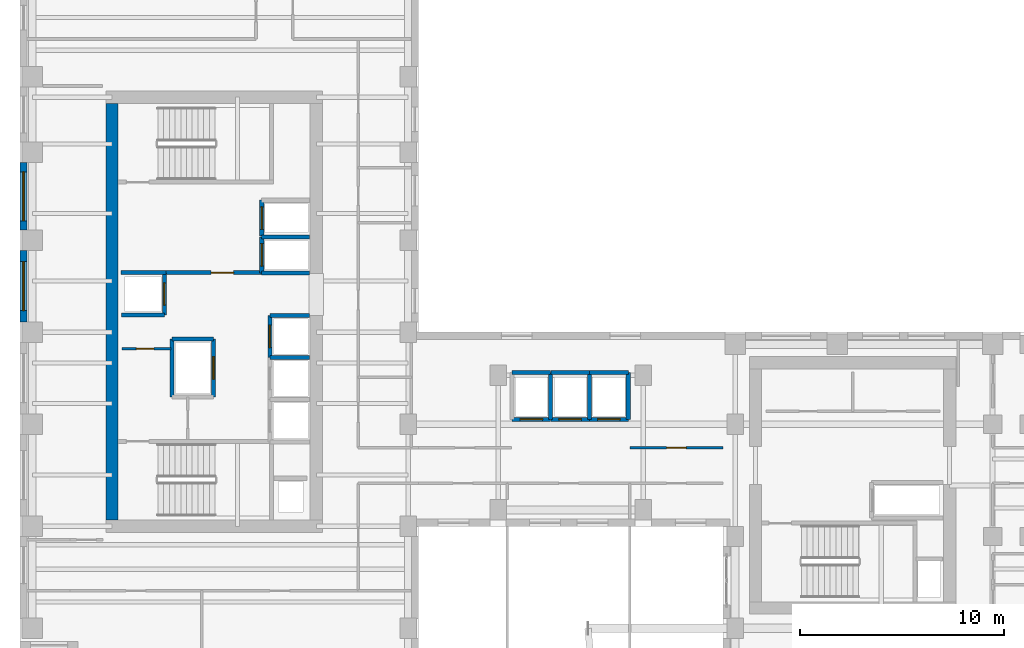
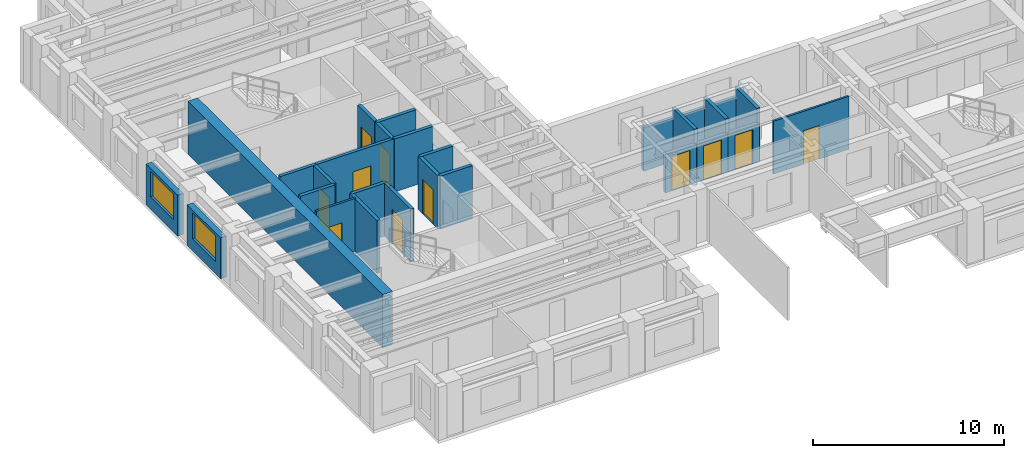
# One storey, part 7 of 13: 28 walls, 11 doors, 2 windows, 13 openings.
"""IFC4 building model written with IfcOpenShell, lengths in metres."""

from ifc_helpers import new_model, si_unit, direction, frame, frame_2d, origin, place, context, subcontext, project, spatial, rectangle, extrude, source, transform, mapped, material, layer, layer_set, type_object, element, fill, save


model = new_model("IFC4")

# Units and contexts
model_context = context("Model", 3, precision=1e-05, world=origin(), true_north=direction((0.0, 1.0)))
body_context = subcontext(model_context, "Body", "Model", "MODEL_VIEW")
ifc_project = project(units=[si_unit("LENGTHUNIT", "METRE"), si_unit("AREAUNIT", "SQUARE_METRE"), si_unit("VOLUMEUNIT", "CUBIC_METRE"), si_unit("PLANEANGLEUNIT", "RADIAN"), si_unit("MASSUNIT", "GRAM", prefix="KILO")], contexts=[model_context])

# Site, building, storey
site_placement = place(None, origin())
site = spatial("IfcSite", under=ifc_project, at=site_placement, CompositionType="ELEMENT")
building_placement = place(site_placement, origin())
building = spatial("IfcBuilding", under=site, at=building_placement, Name="Kharzan Plaza Tower", CompositionType="ELEMENT")
storey_placement = place(building_placement, frame((0.0, 0.0, 161.10009765625)))
storey = spatial("IfcBuildingStorey", under=building, at=storey_placement, Name="L43", CompositionType="ELEMENT", Elevation=161.10009765625)

# Wall, opening, window
ifc_material_1 = material(Name="Concrete C40/50", Category="concrete")
ifc_layer_1 = layer(ifc_material_1, 0.35009765625)
ifc_layer_set_1 = layer_set([ifc_layer_1], Name="Concrete C40/50")
wall_type_1 = type_object("IfcWallType", Name="WL-EXT-MAS-Z3", PredefinedType="SOLIDWALL", material=ifc_layer_set_1)
wall_1_placement = place(storey_placement, frame((0.175048828125, 26.302001953125, 0.0), z_axis=(0.0, 0.0, 1.0), x_axis=(0.0, -1.0, 0.0)))
wall_1 = element("IfcWall", 1, at=wall_1_placement, inside=storey, type_object=wall_type_1, Name="L43 Masonry-Frame Exterior Wall 13", PredefinedType="SOLIDWALL", context=body_context, shape_type="SweptSolid", body=[
    extrude(rectangle(XDim=3.303955078125, YDim=0.35009765625, at=frame_2d((1.65185546875, 0.0))), origin(), (0.0, 0.0, 1.0), 2.61181640625),
])
opening_1_placement = place(wall_1_placement, frame((0.451904296875, 0.0, 0.780029296875)))
opening_1 = element("IfcOpeningElement", 2, at=opening_1_placement, cuts=wall_1, Name="Opening W2", PredefinedType="OPENING", context=body_context, shape_type="SweptSolid", body=[
    extrude(rectangle(XDim=2.39990234375, YDim=1.652099609375, at=frame_2d((1.199951171875, 0.826171875))), frame((0.0, 0.18505859375, 0.0), z_axis=(0.0, -1.0, 0.0), x_axis=(1.0, 0.0, 0.0)), (0.0, 0.0, 1.0), 0.3701171875),
])
ifc_material_2 = material(Name="Low-E Double Glazing", Category="glass")
window_type = type_object("IfcWindowType", Name="WN-REC-2400x2100", PartitioningType="SINGLE_PANEL", PredefinedType="WINDOW", material=ifc_material_2)
shared_shape_1 = source(origin(), body_context, "Body", "SweptSolid", [
    extrude(rectangle(XDim=2.39990234375, YDim=1.652099609375, at=frame_2d((1.199951171875, 0.826171875))), frame((0.0, 0.030029296875, 0.0), z_axis=(0.0, -1.0, 0.0), x_axis=(1.0, 0.0, 0.0)), (0.0, 0.0, 1.0), 0.06005859375),
])
window_1_placement = place(opening_1_placement, origin())
window_1 = element("IfcWindow", 3, at=window_1_placement, inside=storey, type_object=window_type, Name="L43 Wide Recessed Solar-Control Window 13-1", OverallHeight=1.652099609375, OverallWidth=2.39990234375, PartitioningType="SINGLE_PANEL", PredefinedType="WINDOW", context=body_context, shape_type="MappedRepresentation", body=[
    mapped(shared_shape_1, transform((0.0, 0.0, 0.0), x_axis=(1.0, 0.0, 0.0), y_axis=(0.0, 1.0, 0.0), z_axis=(0.0, 0.0, 1.0))),
])
fill(opening_1, window_1)

wall_2_placement = place(storey_placement, frame((0.175048828125, 22.001953125, 0.0), z_axis=(0.0, 0.0, 1.0), x_axis=(0.0, -1.0, 0.0)))
wall_2 = element("IfcWall", 4, at=wall_2_placement, inside=storey, type_object=wall_type_1, Name="L43 Masonry-Frame Exterior Wall 14", PredefinedType="SOLIDWALL", context=body_context, shape_type="SweptSolid", body=[
    extrude(rectangle(XDim=3.50390625, YDim=0.35009765625, at=frame_2d((1.751953125, 0.0))), origin(), (0.0, 0.0, 1.0), 2.61181640625),
])
opening_2_placement = place(wall_2_placement, frame((0.552001953125, 0.0, 0.780029296875)))
opening_2 = element("IfcOpeningElement", 5, at=opening_2_placement, cuts=wall_2, Name="Opening W2", PredefinedType="OPENING", context=body_context, shape_type="SweptSolid", body=[
    extrude(rectangle(XDim=2.39990234375, YDim=1.652099609375, at=frame_2d((1.199951171875, 0.826171875))), frame((0.0, 0.18505859375, 0.0), z_axis=(0.0, -1.0, 0.0), x_axis=(1.0, 0.0, 0.0)), (0.0, 0.0, 1.0), 0.3701171875),
])
window_2_placement = place(opening_2_placement, origin())
window_2 = element("IfcWindow", 6, at=window_2_placement, inside=storey, type_object=window_type, Name="L43 Wide Recessed Solar-Control Window 14-1", OverallHeight=1.652099609375, OverallWidth=2.39990234375, PartitioningType="SINGLE_PANEL", PredefinedType="WINDOW", context=body_context, shape_type="MappedRepresentation", body=[
    mapped(shared_shape_1, transform((0.0, 0.0, 0.0), x_axis=(1.0, 0.0, 0.0), y_axis=(0.0, 1.0, 0.0), z_axis=(0.0, 0.0, 1.0))),
])
fill(opening_2, window_2)

# Wall, opening, door
ifc_layer_2 = layer(ifc_material_1, 0.179931640625)
ifc_layer_set_2 = layer_set([ifc_layer_2], Name="Concrete C40/50")
wall_type_2 = type_object("IfcWallType", Name="WL-INT-FIRE-180", PredefinedType="PARTITIONING", material=ifc_layer_set_2)
wall_3_placement = place(storey_placement, frame((7.14990234375, 20.919921875, 0.0), z_axis=(0.0, 0.0, 1.0), x_axis=(1.0, 0.0, 0.0)))
wall_3 = element("IfcWall", 7, at=wall_3_placement, inside=storey, type_object=wall_type_2, Name="L43 Interior Partition CA-FF-S", PredefinedType="PARTITIONING", context=body_context, shape_type="SweptSolid", body=[
    extrude(rectangle(XDim=4.68017578125, YDim=0.179931640625, at=frame_2d((2.340087890625, 0.0))), origin(), (0.0, 0.0, 1.0), 3.385009765625),
])
opening_3_placement = place(wall_3_placement, frame((2.199951171875, 0.0, 0.0)))
opening_3 = element("IfcOpeningElement", 8, at=opening_3_placement, cuts=wall_3, Name="Opening FD1", PredefinedType="OPENING", context=body_context, shape_type="SweptSolid", body=[
    extrude(rectangle(XDim=1.10009765625, YDim=2.14990234375, at=frame_2d((0.550048828125, 1.074951171875))), frame((0.0, 0.099853515625, 0.0), z_axis=(0.0, -1.0, 0.0), x_axis=(1.0, 0.0, 0.0)), (0.0, 0.0, 1.0), 0.199951171875),
])
ifc_material_3 = material(Name="Fire-Rated Acoustic Vision-Panel Steel", Category="steel")
door_type_1 = type_object("IfcDoorType", Name="DR-FIRE-LOBBY", OperationType="NOTDEFINED", PredefinedType="DOOR", material=ifc_material_3)
shared_shape_2 = source(origin(), body_context, "Body", "SweptSolid", [
    extrude(rectangle(XDim=1.10009765625, YDim=2.14990234375, at=frame_2d((0.550048828125, 1.074951171875))), frame((0.0, 0.02490234375, 0.0), z_axis=(0.0, -1.0, 0.0), x_axis=(1.0, 0.0, 0.0)), (0.0, 0.0, 1.0), 0.050048828125),
])
door_1_placement = place(opening_3_placement, origin())
door_1 = element("IfcDoor", 9, at=door_1_placement, inside=storey, type_object=door_type_1, Name="L43 Firefighting Lobby Door", OperationType="SINGLE_SWING_LEFT", OverallHeight=2.14990234375, OverallWidth=1.10009765625, PredefinedType="DOOR", context=body_context, shape_type="MappedRepresentation", body=[
    mapped(shared_shape_2, transform((0.0, 0.0, 0.0), x_axis=(1.0, 0.0, 0.0), y_axis=(0.0, 1.0, 0.0), z_axis=(0.0, 0.0, 1.0))),
])
fill(opening_3, door_1)

ifc_material_4 = material(Name="Fire-Rated Gypsum Board Partition", Category="gypsum")
ifc_layer_3 = layer(ifc_material_4, 0.125)
ifc_layer_set_3 = layer_set([ifc_layer_3], Name="Fire-Rated Gypsum Board Partition")
wall_type_3 = type_object("IfcWallType", Name="WL-INT-PART-125", PredefinedType="PARTITIONING", material=ifc_layer_set_3)
wall_4_placement = place(storey_placement, frame((5.0, 17.199951171875, 0.0), z_axis=(0.0, 0.0, 1.0), x_axis=(1.0, 0.0, 0.0)))
wall_4 = element("IfcWall", 10, at=wall_4_placement, inside=storey, type_object=wall_type_3, Name="L43 Interior Partition CA-K1N2", PredefinedType="PARTITIONING", context=body_context, shape_type="SweptSolid", body=[
    extrude(rectangle(XDim=2.39990234375, YDim=0.125, at=frame_2d((1.199951171875, 0.0))), origin(), (0.0, 0.0, 1.0), 3.385009765625),
])
opening_4_placement = place(wall_4_placement, frame((0.699951171875, 0.0, 0.0)))
opening_4 = element("IfcOpeningElement", 11, at=opening_4_placement, cuts=wall_4, Name="Opening RD1", PredefinedType="OPENING", context=body_context, shape_type="SweptSolid", body=[
    extrude(rectangle(XDim=0.85009765625, YDim=2.10009765625, at=frame_2d((0.425048828125, 1.050048828125))), frame((0.0, 0.072509765625, 0.0), z_axis=(0.0, -1.0, 0.0), x_axis=(1.0, 0.0, 0.0)), (0.0, 0.0, 1.0), 0.14501953125),
])
ifc_material_5 = material(Name="Powder-Coated Fire-Rated Steel", Category="steel")
door_type_2 = type_object("IfcDoorType", Name="DR-RISER-900", OperationType="NOTDEFINED", PredefinedType="DOOR", material=ifc_material_5)
shared_shape_3 = source(origin(), body_context, "Body", "SweptSolid", [
    extrude(rectangle(XDim=0.85009765625, YDim=2.10009765625, at=frame_2d((0.425048828125, 1.050048828125))), frame((0.0, 0.02490234375, 0.0), z_axis=(0.0, -1.0, 0.0), x_axis=(1.0, 0.0, 0.0)), (0.0, 0.0, 1.0), 0.050048828125),
])
door_2_placement = place(opening_4_placement, origin())
door_2 = element("IfcDoor", 12, at=door_2_placement, inside=storey, type_object=door_type_2, Name="L43 Core Storage Room Door", OperationType="SINGLE_SWING_RIGHT", OverallHeight=2.10009765625, OverallWidth=0.85009765625, PredefinedType="DOOR", context=body_context, shape_type="MappedRepresentation", body=[
    mapped(shared_shape_3, transform((0.0, 0.0, 0.0), x_axis=(1.0, 0.0, 0.0), y_axis=(0.0, 1.0, 0.0), z_axis=(0.0, 0.0, 1.0))),
])
fill(opening_4, door_2)

wall_5_placement = place(storey_placement, frame((29.85009765625, 12.35009765625, 0.0), z_axis=(0.0, 0.0, 1.0), x_axis=(1.0, 0.0, 0.0)))
wall_5 = element("IfcWall", 13, at=wall_5_placement, inside=storey, type_object=wall_type_3, Name="L43 Interior Partition SH-SPNE1", PredefinedType="PARTITIONING", context=body_context, shape_type="SweptSolid", body=[
    extrude(rectangle(XDim=4.5498046875, YDim=0.125, at=frame_2d((2.27490234375, 0.0))), origin(), (0.0, 0.0, 1.0), 3.385009765625),
])
opening_5_placement = place(wall_5_placement, frame((1.800048828125, 0.0, 0.0)))
opening_5 = element("IfcOpeningElement", 14, at=opening_5_placement, cuts=wall_5, Name="Opening OD1", PredefinedType="OPENING", context=body_context, shape_type="SweptSolid", body=[
    extrude(rectangle(XDim=0.949951171875, YDim=2.14990234375, at=frame_2d((0.47509765625, 1.074951171875))), frame((0.0, 0.072509765625, 0.0), z_axis=(0.0, -1.0, 0.0), x_axis=(1.0, 0.0, 0.0)), (0.0, 0.0, 1.0), 0.14501953125),
])
ifc_material_6 = material(Name="Acoustic Solid-Core Stained Oak", Category="timber")
door_type_3 = type_object("IfcDoorType", Name="DR-OFF-SINGLE", OperationType="NOTDEFINED", PredefinedType="DOOR", material=ifc_material_6)
shared_shape_4 = source(origin(), body_context, "Body", "SweptSolid", [
    extrude(rectangle(XDim=0.949951171875, YDim=2.14990234375, at=frame_2d((0.47509765625, 1.074951171875))), frame((0.0, 0.02490234375, 0.0), z_axis=(0.0, -1.0, 0.0), x_axis=(1.0, 0.0, 0.0)), (0.0, 0.0, 1.0), 0.050048828125),
])
door_3_placement = place(opening_5_placement, origin())
door_3 = element("IfcDoor", 15, at=door_3_placement, inside=storey, type_object=door_type_3, Name="L43 North-East Spine Door", OperationType="SINGLE_SWING_RIGHT", OverallHeight=2.14990234375, OverallWidth=0.949951171875, PredefinedType="DOOR", context=body_context, shape_type="MappedRepresentation", body=[
    mapped(shared_shape_4, transform((0.0, 0.0, 0.0), x_axis=(1.0, 0.0, 0.0), y_axis=(0.0, 1.0, 0.0), z_axis=(0.0, 0.0, 1.0))),
])
fill(opening_5, door_3)

ifc_layer_4 = layer(ifc_material_1, 0.199951171875)
ifc_layer_set_4 = layer_set([ifc_layer_4], Name="Concrete C40/50")
wall_type_4 = type_object("IfcWallType", Name="WL-INT-SHAFT-200", PredefinedType="PARTITIONING", material=ifc_layer_set_4)
wall_6_placement = place(storey_placement, frame((11.830078125, 20.89990234375, 0.0), z_axis=(0.0, 0.0, 1.0), x_axis=(0.0, 1.0, 0.0)))
wall_6 = element("IfcWall", 16, at=wall_6_placement, inside=storey, type_object=wall_type_4, Name="L43 Interior Partition SHF-FFL-1-W", PredefinedType="PARTITIONING", context=body_context, shape_type="SweptSolid", body=[
    extrude(rectangle(XDim=1.760009765625, YDim=0.199951171875, at=frame_2d((0.8798828125, 0.0))), origin(), (0.0, 0.0, 1.0), 3.385009765625),
])
opening_6_placement = place(wall_6_placement, frame((0.330078125, 0.0, 0.0)))
opening_6 = element("IfcOpeningElement", 17, at=opening_6_placement, cuts=wall_6, Name="Opening LD", PredefinedType="OPENING", context=body_context, shape_type="SweptSolid", body=[
    extrude(rectangle(XDim=1.10009765625, YDim=2.199951171875, at=frame_2d((0.550048828125, 1.10009765625))), frame((0.0, 0.10986328125, 0.0), z_axis=(0.0, -1.0, 0.0), x_axis=(1.0, 0.0, 0.0)), (0.0, 0.0, 1.0), 0.219970703125),
])
ifc_material_7 = material(Name="Brushed Stainless Steel", Category="steel")
door_type_4 = type_object("IfcDoorType", Name="DR-LIFT-SLIDE", OperationType="SLIDING_TO_LEFT", PredefinedType="DOOR", material=ifc_material_7)
shared_shape_5 = source(origin(), body_context, "Body", "SweptSolid", [
    extrude(rectangle(XDim=1.10009765625, YDim=2.199951171875, at=frame_2d((0.550048828125, 1.10009765625))), frame((0.0, 0.02490234375, 0.0), z_axis=(0.0, -1.0, 0.0), x_axis=(1.0, 0.0, 0.0)), (0.0, 0.0, 1.0), 0.050048828125),
])
door_4_placement = place(opening_6_placement, origin())
door_4 = element("IfcDoor", 18, at=door_4_placement, inside=storey, type_object=door_type_4, Name="L43 Firefighting Lift FFL-1 Sliding Landing Door", OperationType="SLIDING_TO_LEFT", OverallHeight=2.199951171875, OverallWidth=1.10009765625, PredefinedType="DOOR", context=body_context, shape_type="MappedRepresentation", body=[
    mapped(shared_shape_5, transform((0.0, 0.0, 0.0), x_axis=(1.0, 0.0, 0.0), y_axis=(0.0, 1.0, 0.0), z_axis=(0.0, 0.0, 1.0))),
])
fill(opening_6, door_4)

wall_7_placement = place(storey_placement, frame((11.830078125, 22.699951171875, 0.0), z_axis=(0.0, 0.0, 1.0), x_axis=(0.0, 1.0, 0.0)))
wall_7 = element("IfcWall", 19, at=wall_7_placement, inside=storey, type_object=wall_type_4, Name="L43 Interior Partition SHF-FFL-2-W", PredefinedType="PARTITIONING", context=body_context, shape_type="SweptSolid", body=[
    extrude(rectangle(XDim=1.760009765625, YDim=0.199951171875, at=frame_2d((0.8798828125, 0.0))), origin(), (0.0, 0.0, 1.0), 3.385009765625),
])
opening_7_placement = place(wall_7_placement, frame((0.330078125, 0.0, 0.0)))
opening_7 = element("IfcOpeningElement", 20, at=opening_7_placement, cuts=wall_7, Name="Opening LD", PredefinedType="OPENING", context=body_context, shape_type="SweptSolid", body=[
    extrude(rectangle(XDim=1.10009765625, YDim=2.199951171875, at=frame_2d((0.550048828125, 1.10009765625))), frame((0.0, 0.10986328125, 0.0), z_axis=(0.0, -1.0, 0.0), x_axis=(1.0, 0.0, 0.0)), (0.0, 0.0, 1.0), 0.219970703125),
])
door_5_placement = place(opening_7_placement, origin())
door_5 = element("IfcDoor", 21, at=door_5_placement, inside=storey, type_object=door_type_4, Name="L43 Firefighting Lift FFL-2 Sliding Landing Door", OperationType="SLIDING_TO_LEFT", OverallHeight=2.199951171875, OverallWidth=1.10009765625, PredefinedType="DOOR", context=body_context, shape_type="MappedRepresentation", body=[
    mapped(shared_shape_5, transform((0.0, 0.0, 0.0), x_axis=(1.0, 0.0, 0.0), y_axis=(0.0, 1.0, 0.0), z_axis=(0.0, 0.0, 1.0))),
])
fill(opening_7, door_5)

wall_8_placement = place(storey_placement, frame((12.22998046875, 16.77001953125, 0.0), z_axis=(0.0, 0.0, 1.0), x_axis=(0.0, 1.0, 0.0)))
wall_8 = element("IfcWall", 22, at=wall_8_placement, inside=storey, type_object=wall_type_4, Name="L43 Interior Partition SHF-PL-H3-W", PredefinedType="PARTITIONING", context=body_context, shape_type="SweptSolid", body=[
    extrude(rectangle(XDim=2.050048828125, YDim=0.199951171875, at=frame_2d((1.02490234375, 0.0))), origin(), (0.0, 0.0, 1.0), 3.385009765625),
])
opening_8_placement = place(wall_8_placement, frame((0.47509765625, 0.0, 0.0)))
opening_8 = element("IfcOpeningElement", 23, at=opening_8_placement, cuts=wall_8, Name="Opening LD", PredefinedType="OPENING", context=body_context, shape_type="SweptSolid", body=[
    extrude(rectangle(XDim=1.10009765625, YDim=2.199951171875, at=frame_2d((0.550048828125, 1.10009765625))), frame((0.0, 0.10986328125, 0.0), z_axis=(0.0, -1.0, 0.0), x_axis=(1.0, 0.0, 0.0)), (0.0, 0.0, 1.0), 0.219970703125),
])
door_6_placement = place(opening_8_placement, origin())
door_6 = element("IfcDoor", 24, at=door_6_placement, inside=storey, type_object=door_type_4, Name="L43 High-Rise Passenger Lift PL-H3 Sliding Landing Door", OperationType="SLIDING_TO_LEFT", OverallHeight=2.199951171875, OverallWidth=1.10009765625, PredefinedType="DOOR", context=body_context, shape_type="MappedRepresentation", body=[
    mapped(shared_shape_5, transform((0.0, 0.0, 0.0), x_axis=(1.0, 0.0, 0.0), y_axis=(0.0, 1.0, 0.0), z_axis=(0.0, 0.0, 1.0))),
])
fill(opening_8, door_6)

wall_9_placement = place(storey_placement, frame((7.070068359375, 18.840087890625, 0.0), z_axis=(0.0, 0.0, 1.0), x_axis=(0.0, 1.0, 0.0)))
wall_9 = element("IfcWall", 25, at=wall_9_placement, inside=storey, type_object=wall_type_4, Name="L43 Interior Partition SHF-PL-H4-E", PredefinedType="PARTITIONING", context=body_context, shape_type="SweptSolid", body=[
    extrude(rectangle(XDim=2.059814453125, YDim=0.199951171875, at=frame_2d((1.02978515625, 0.0))), origin(), (0.0, 0.0, 1.0), 3.385009765625),
])
opening_9_placement = place(wall_9_placement, frame((0.47998046875, 0.0, 0.0)))
opening_9 = element("IfcOpeningElement", 26, at=opening_9_placement, cuts=wall_9, Name="Opening LD", PredefinedType="OPENING", context=body_context, shape_type="SweptSolid", body=[
    extrude(rectangle(XDim=1.10009765625, YDim=2.199951171875, at=frame_2d((0.550048828125, 1.10009765625))), frame((0.0, 0.10986328125, 0.0), z_axis=(0.0, -1.0, 0.0), x_axis=(1.0, 0.0, 0.0)), (0.0, 0.0, 1.0), 0.219970703125),
])
door_7_placement = place(opening_9_placement, origin())
door_7 = element("IfcDoor", 27, at=door_7_placement, inside=storey, type_object=door_type_4, Name="L43 High-Rise Passenger Lift PL-H4 Sliding Landing Door", OperationType="SLIDING_TO_LEFT", OverallHeight=2.199951171875, OverallWidth=1.10009765625, PredefinedType="DOOR", context=body_context, shape_type="MappedRepresentation", body=[
    mapped(shared_shape_5, transform((0.0, 0.0, 0.0), x_axis=(1.0, 0.0, 0.0), y_axis=(0.0, 1.0, 0.0), z_axis=(0.0, 0.0, 1.0))),
])
fill(opening_9, door_7)

wall_10_placement = place(storey_placement, frame((24.080078125, 13.72998046875, 0.0), z_axis=(0.0, 0.0, 1.0), x_axis=(1.0, 0.0, 0.0)))
wall_10 = element("IfcWall", 28, at=wall_10_placement, inside=storey, type_object=wall_type_4, Name="L43 Interior Partition SHF-PL-M1-S", PredefinedType="PARTITIONING", context=body_context, shape_type="SweptSolid", body=[
    extrude(rectangle(XDim=1.889892578125, YDim=0.199951171875, at=frame_2d((0.94482421875, 0.0))), origin(), (0.0, 0.0, 1.0), 2.4658203125),
])
opening_10_placement = place(wall_10_placement, frame((0.39501953125, 0.0, 0.0)))
opening_10 = element("IfcOpeningElement", 29, at=opening_10_placement, cuts=wall_10, Name="Opening LD", PredefinedType="OPENING", context=body_context, shape_type="SweptSolid", body=[
    extrude(rectangle(XDim=1.10009765625, YDim=2.199951171875, at=frame_2d((0.550048828125, 1.10009765625))), frame((0.0, 0.10986328125, 0.0), z_axis=(0.0, -1.0, 0.0), x_axis=(1.0, 0.0, 0.0)), (0.0, 0.0, 1.0), 0.219970703125),
])
door_8_placement = place(opening_10_placement, origin())
door_8 = element("IfcDoor", 30, at=door_8_placement, inside=storey, type_object=door_type_4, Name="L43 Mid-Rise Passenger Lift PL-M1 Sliding Landing Door", OperationType="SLIDING_TO_LEFT", OverallHeight=2.199951171875, OverallWidth=1.10009765625, PredefinedType="DOOR", context=body_context, shape_type="MappedRepresentation", body=[
    mapped(shared_shape_5, transform((0.0, 0.0, 0.0), x_axis=(1.0, 0.0, 0.0), y_axis=(0.0, 1.0, 0.0), z_axis=(0.0, 0.0, 1.0))),
])
fill(opening_10, door_8)

wall_11_placement = place(storey_placement, frame((25.97998046875, 13.72998046875, 0.0), z_axis=(0.0, 0.0, 1.0), x_axis=(1.0, 0.0, 0.0)))
wall_11 = element("IfcWall", 31, at=wall_11_placement, inside=storey, type_object=wall_type_4, Name="L43 Interior Partition SHF-PL-M2-S", PredefinedType="PARTITIONING", context=body_context, shape_type="SweptSolid", body=[
    extrude(rectangle(XDim=1.89013671875, YDim=0.199951171875, at=frame_2d((0.945068359375, 0.0))), origin(), (0.0, 0.0, 1.0), 2.4658203125),
])
opening_11_placement = place(wall_11_placement, frame((0.39501953125, 0.0, 0.0)))
opening_11 = element("IfcOpeningElement", 32, at=opening_11_placement, cuts=wall_11, Name="Opening LD", PredefinedType="OPENING", context=body_context, shape_type="SweptSolid", body=[
    extrude(rectangle(XDim=1.10009765625, YDim=2.199951171875, at=frame_2d((0.550048828125, 1.10009765625))), frame((0.0, 0.10986328125, 0.0), z_axis=(0.0, -1.0, 0.0), x_axis=(1.0, 0.0, 0.0)), (0.0, 0.0, 1.0), 0.219970703125),
])
door_9_placement = place(opening_11_placement, origin())
door_9 = element("IfcDoor", 33, at=door_9_placement, inside=storey, type_object=door_type_4, Name="L43 Mid-Rise Passenger Lift PL-M2 Sliding Landing Door", OperationType="SLIDING_TO_LEFT", OverallHeight=2.199951171875, OverallWidth=1.10009765625, PredefinedType="DOOR", context=body_context, shape_type="MappedRepresentation", body=[
    mapped(shared_shape_5, transform((0.0, 0.0, 0.0), x_axis=(1.0, 0.0, 0.0), y_axis=(0.0, 1.0, 0.0), z_axis=(0.0, 0.0, 1.0))),
])
fill(opening_11, door_9)

wall_12_placement = place(storey_placement, frame((27.8798828125, 13.72998046875, 0.0), z_axis=(0.0, 0.0, 1.0), x_axis=(1.0, 0.0, 0.0)))
wall_12 = element("IfcWall", 34, at=wall_12_placement, inside=storey, type_object=wall_type_4, Name="L43 Interior Partition SHF-PL-M3-S", PredefinedType="PARTITIONING", context=body_context, shape_type="SweptSolid", body=[
    extrude(rectangle(XDim=1.89013671875, YDim=0.199951171875, at=frame_2d((0.945068359375, 0.0))), origin(), (0.0, 0.0, 1.0), 2.4658203125),
])
opening_12_placement = place(wall_12_placement, frame((0.39501953125, 0.0, 0.0)))
opening_12 = element("IfcOpeningElement", 35, at=opening_12_placement, cuts=wall_12, Name="Opening LD", PredefinedType="OPENING", context=body_context, shape_type="SweptSolid", body=[
    extrude(rectangle(XDim=1.10009765625, YDim=2.199951171875, at=frame_2d((0.550048828125, 1.10009765625))), frame((0.0, 0.10986328125, 0.0), z_axis=(0.0, -1.0, 0.0), x_axis=(1.0, 0.0, 0.0)), (0.0, 0.0, 1.0), 0.219970703125),
])
door_10_placement = place(opening_12_placement, origin())
door_10 = element("IfcDoor", 36, at=door_10_placement, inside=storey, type_object=door_type_4, Name="L43 Mid-Rise Passenger Lift PL-M3 Sliding Landing Door", OperationType="SLIDING_TO_LEFT", OverallHeight=2.199951171875, OverallWidth=1.10009765625, PredefinedType="DOOR", context=body_context, shape_type="MappedRepresentation", body=[
    mapped(shared_shape_5, transform((0.0, 0.0, 0.0), x_axis=(1.0, 0.0, 0.0), y_axis=(0.0, 1.0, 0.0), z_axis=(0.0, 0.0, 1.0))),
])
fill(opening_12, door_10)

wall_13_placement = place(storey_placement, frame((9.469970703125, 14.830078125, 0.0), z_axis=(0.0, 0.0, 1.0), x_axis=(0.0, 1.0, 0.0)))
wall_13 = element("IfcWall", 37, at=wall_13_placement, inside=storey, type_object=wall_type_4, Name="L43 Interior Partition SHF-SVL-1-E", PredefinedType="PARTITIONING", context=body_context, shape_type="SweptSolid", body=[
    extrude(rectangle(XDim=2.83984375, YDim=0.199951171875, at=frame_2d((1.419921875, 0.0))), origin(), (0.0, 0.0, 1.0), 3.385009765625),
])
opening_13_placement = place(wall_13_placement, frame((0.8701171875, 0.0, 0.0)))
opening_13 = element("IfcOpeningElement", 38, at=opening_13_placement, cuts=wall_13, Name="Opening LD", PredefinedType="OPENING", context=body_context, shape_type="SweptSolid", body=[
    extrude(rectangle(XDim=1.10009765625, YDim=2.199951171875, at=frame_2d((0.550048828125, 1.10009765625))), frame((0.0, 0.10986328125, 0.0), z_axis=(0.0, -1.0, 0.0), x_axis=(1.0, 0.0, 0.0)), (0.0, 0.0, 1.0), 0.219970703125),
])
door_11_placement = place(opening_13_placement, origin())
door_11 = element("IfcDoor", 39, at=door_11_placement, inside=storey, type_object=door_type_4, Name="L43 Service Lift SVL-1 Sliding Landing Door", OperationType="SLIDING_TO_LEFT", OverallHeight=2.199951171875, OverallWidth=1.10009765625, PredefinedType="DOOR", context=body_context, shape_type="MappedRepresentation", body=[
    mapped(shared_shape_5, transform((0.0, 0.0, 0.0), x_axis=(1.0, 0.0, 0.0), y_axis=(0.0, 1.0, 0.0), z_axis=(0.0, 0.0, 1.0))),
])
fill(opening_13, door_11)

# Walls
ifc_material_8 = material(Name="Concrete C50/60", Category="concrete")
ifc_layer_5 = layer(ifc_material_8, 0.60009765625)
ifc_layer_set_5 = layer_set([ifc_layer_5], Name="Concrete C50/60")
wall_type_5 = type_object("IfcWallType", Name="WL-CORE-600", PredefinedType="SHEAR", material=ifc_layer_set_5)
shared_shape_6 = source(origin(), body_context, "Body", "SweptSolid", [
    extrude(rectangle(XDim=20.39990234375, YDim=0.60009765625, at=frame_2d((10.199951171875, 0.0))), origin(), (0.0, 0.0, 1.0), 3.39990234375),
])
wall_14_placement = place(storey_placement, frame((4.5, 8.800048828125, 0.0), z_axis=(0.0, 0.0, 1.0), x_axis=(0.0, 1.0, 0.0)))
element("IfcWall", 40, at=wall_14_placement, inside=storey, type_object=wall_type_5, Name="L43 CORE-A west RC shear wall", PredefinedType="SHEAR", context=body_context, shape_type="MappedRepresentation", body=[
    mapped(shared_shape_6, transform((0.0, 0.0, 0.0), x_axis=(1.0, 0.0, 0.0), y_axis=(0.0, 1.0, 0.0), z_axis=(0.0, 0.0, 1.0))),
])
shared_shape_7 = source(origin(), body_context, "Body", "SweptSolid", [
    extrude(rectangle(XDim=2.199951171875, YDim=0.179931640625, at=frame_2d((1.10009765625, 0.0))), origin(), (0.0, 0.0, 1.0), 3.385009765625),
])
wall_15_placement = place(storey_placement, frame((4.949951171875, 20.919921875, 0.0), z_axis=(0.0, 0.0, 1.0), x_axis=(1.0, 0.0, 0.0)))
element("IfcWall", 41, at=wall_15_placement, inside=storey, type_object=wall_type_2, Name="L43 Interior Partition CA-FF-SW", PredefinedType="PARTITIONING", context=body_context, shape_type="MappedRepresentation", body=[
    mapped(shared_shape_7, transform((0.0, 0.0, 0.0), x_axis=(1.0, 0.0, 0.0), y_axis=(0.0, 1.0, 0.0), z_axis=(0.0, 0.0, 1.0))),
])
shared_shape_8 = source(origin(), body_context, "Body", "SweptSolid", [
    extrude(rectangle(XDim=2.33984375, YDim=0.199951171875, at=frame_2d((1.169921875, 0.0))), origin(), (0.0, 0.0, 1.0), 3.385009765625),
])
for number, where, z_axis, x_axis, name in (
    (42, (11.830078125, 22.659912109375, 0.0), (0.0, 0.0, 1.0), (1.0, 0.0, 0.0), "L43 Interior Partition SHF-FFL-1-N"),
    (43, (11.830078125, 20.89990234375, 0.0), (0.0, 0.0, 1.0), (1.0, 0.0, 0.0), "L43 Interior Partition SHF-FFL-1-S"),
):
    element("IfcWall", number, at=place(storey_placement, frame(where, z_axis=z_axis, x_axis=x_axis)), inside=storey, type_object=wall_type_4, Name=name, PredefinedType="PARTITIONING", context=body_context, shape_type="MappedRepresentation", body=[
        mapped(shared_shape_8, transform((0.0, 0.0, 0.0), x_axis=(1.0, 0.0, 0.0), y_axis=(0.0, 1.0, 0.0), z_axis=(0.0, 0.0, 1.0))),
    ])
shared_shape_9 = source(origin(), body_context, "Body", "SweptSolid", [
    extrude(rectangle(XDim=1.93994140625, YDim=0.199951171875, at=frame_2d((0.969970703125, 0.0))), origin(), (0.0, 0.0, 1.0), 3.385009765625),
])
for number, where, z_axis, x_axis, name in (
    (44, (12.22998046875, 16.77001953125, 0.0), (0.0, 0.0, 1.0), (1.0, 0.0, 0.0), "L43 Interior Partition SHF-PL-H2-N"),
    (45, (12.22998046875, 18.820068359375, 0.0), (0.0, 0.0, 1.0), (1.0, 0.0, 0.0), "L43 Interior Partition SHF-PL-H3-N"),
):
    element("IfcWall", number, at=place(storey_placement, frame(where, z_axis=z_axis, x_axis=x_axis)), inside=storey, type_object=wall_type_4, Name=name, PredefinedType="PARTITIONING", context=body_context, shape_type="MappedRepresentation", body=[
        mapped(shared_shape_9, transform((0.0, 0.0, 0.0), x_axis=(1.0, 0.0, 0.0), y_axis=(0.0, 1.0, 0.0), z_axis=(0.0, 0.0, 1.0))),
    ])
shared_shape_10 = source(origin(), body_context, "Body", "SweptSolid", [
    extrude(rectangle(XDim=2.090087890625, YDim=0.199951171875, at=frame_2d((1.044921875, 0.0))), origin(), (0.0, 0.0, 1.0), 3.385009765625),
])
wall_16_placement = place(storey_placement, frame((4.97998046875, 18.840087890625, 0.0), z_axis=(0.0, 0.0, 1.0), x_axis=(1.0, 0.0, 0.0)))
element("IfcWall", 46, at=wall_16_placement, inside=storey, type_object=wall_type_4, Name="L43 Interior Partition SHF-PL-H4-S", PredefinedType="PARTITIONING", context=body_context, shape_type="MappedRepresentation", body=[
    mapped(shared_shape_10, transform((0.0, 0.0, 0.0), x_axis=(1.0, 0.0, 0.0), y_axis=(0.0, 1.0, 0.0), z_axis=(0.0, 0.0, 1.0))),
])
shared_shape_11 = source(origin(), body_context, "Body", "SweptSolid", [
    extrude(rectangle(XDim=2.2900390625, YDim=0.199951171875, at=frame_2d((1.14501953125, 0.0))), origin(), (0.0, 0.0, 1.0), 3.385009765625),
])
for number, where, z_axis, x_axis, name in (
    (47, (25.969970703125, 13.72998046875, 0.0), (0.0, 0.0, 1.0), (0.0, 1.0, 0.0), "L43 Interior Partition SHF-PL-M1-E"),
    (48, (27.8701171875, 13.72998046875, 0.0), (0.0, 0.0, 1.0), (0.0, 1.0, 0.0), "L43 Interior Partition SHF-PL-M2-E"),
    (49, (29.77001953125, 13.72998046875, 0.0), (0.0, 0.0, 1.0), (0.0, 1.0, 0.0), "L43 Interior Partition SHF-PL-M3-E"),
):
    element("IfcWall", number, at=place(storey_placement, frame(where, z_axis=z_axis, x_axis=x_axis)), inside=storey, type_object=wall_type_4, Name=name, PredefinedType="PARTITIONING", context=body_context, shape_type="MappedRepresentation", body=[
        mapped(shared_shape_11, transform((0.0, 0.0, 0.0), x_axis=(1.0, 0.0, 0.0), y_axis=(0.0, 1.0, 0.0), z_axis=(0.0, 0.0, 1.0))),
    ])
shared_shape_12 = source(origin(), body_context, "Body", "SweptSolid", [
    extrude(rectangle(XDim=1.889892578125, YDim=0.199951171875, at=frame_2d((0.94482421875, 0.0))), origin(), (0.0, 0.0, 1.0), 2.77294921875),
])
wall_17_placement = place(storey_placement, frame((24.080078125, 16.02001953125, 0.0), z_axis=(0.0, 0.0, 1.0), x_axis=(1.0, 0.0, 0.0)))
element("IfcWall", 50, at=wall_17_placement, inside=storey, type_object=wall_type_4, Name="L43 Interior Partition SHF-PL-M1-N", PredefinedType="PARTITIONING", context=body_context, shape_type="MappedRepresentation", body=[
    mapped(shared_shape_12, transform((0.0, 0.0, 0.0), x_axis=(1.0, 0.0, 0.0), y_axis=(0.0, 1.0, 0.0), z_axis=(0.0, 0.0, 1.0))),
])
shared_shape_13 = source(origin(), body_context, "Body", "SweptSolid", [
    extrude(rectangle(XDim=1.89013671875, YDim=0.199951171875, at=frame_2d((0.945068359375, 0.0))), origin(), (0.0, 0.0, 1.0), 2.77294921875),
])
for number, where, z_axis, x_axis, name in (
    (51, (25.97998046875, 16.02001953125, 0.0), (0.0, 0.0, 1.0), (1.0, 0.0, 0.0), "L43 Interior Partition SHF-PL-M2-N"),
    (52, (27.8798828125, 16.02001953125, 0.0), (0.0, 0.0, 1.0), (1.0, 0.0, 0.0), "L43 Interior Partition SHF-PL-M3-N"),
):
    element("IfcWall", number, at=place(storey_placement, frame(where, z_axis=z_axis, x_axis=x_axis)), inside=storey, type_object=wall_type_4, Name=name, PredefinedType="PARTITIONING", context=body_context, shape_type="MappedRepresentation", body=[
        mapped(shared_shape_13, transform((0.0, 0.0, 0.0), x_axis=(1.0, 0.0, 0.0), y_axis=(0.0, 1.0, 0.0), z_axis=(0.0, 0.0, 1.0))),
    ])
shared_shape_14 = source(origin(), body_context, "Body", "SweptSolid", [
    extrude(rectangle(XDim=2.0400390625, YDim=0.199951171875, at=frame_2d((1.02001953125, 0.0))), origin(), (0.0, 0.0, 1.0), 3.385009765625),
])
wall_18_placement = place(storey_placement, frame((7.429931640625, 17.669921875, 0.0), z_axis=(0.0, 0.0, 1.0), x_axis=(1.0, 0.0, 0.0)))
element("IfcWall", 53, at=wall_18_placement, inside=storey, type_object=wall_type_4, Name="L43 Interior Partition SHF-SVL-1-N", PredefinedType="PARTITIONING", context=body_context, shape_type="MappedRepresentation", body=[
    mapped(shared_shape_14, transform((0.0, 0.0, 0.0), x_axis=(1.0, 0.0, 0.0), y_axis=(0.0, 1.0, 0.0), z_axis=(0.0, 0.0, 1.0))),
])
shared_shape_15 = source(origin(), body_context, "Body", "SweptSolid", [
    extrude(rectangle(XDim=2.83984375, YDim=0.199951171875, at=frame_2d((1.419921875, 0.0))), origin(), (0.0, 0.0, 1.0), 3.385009765625),
])
wall_19_placement = place(storey_placement, frame((7.429931640625, 14.830078125, 0.0), z_axis=(0.0, 0.0, 1.0), x_axis=(0.0, 1.0, 0.0)))
element("IfcWall", 54, at=wall_19_placement, inside=storey, type_object=wall_type_4, Name="L43 Interior Partition SHF-SVL-1-W", PredefinedType="PARTITIONING", context=body_context, shape_type="MappedRepresentation", body=[
    mapped(shared_shape_15, transform((0.0, 0.0, 0.0), x_axis=(1.0, 0.0, 0.0), y_axis=(0.0, 1.0, 0.0), z_axis=(0.0, 0.0, 1.0))),
])

save(model, "model.ifc")
